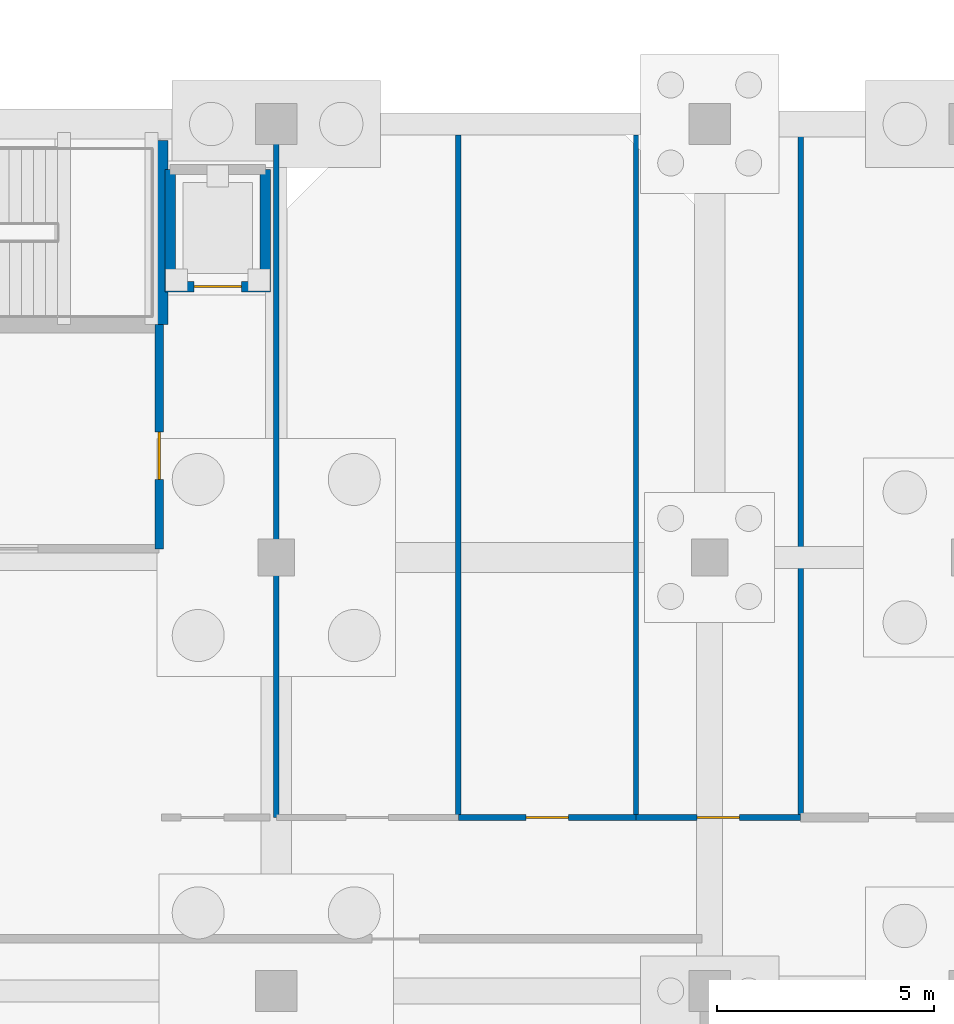
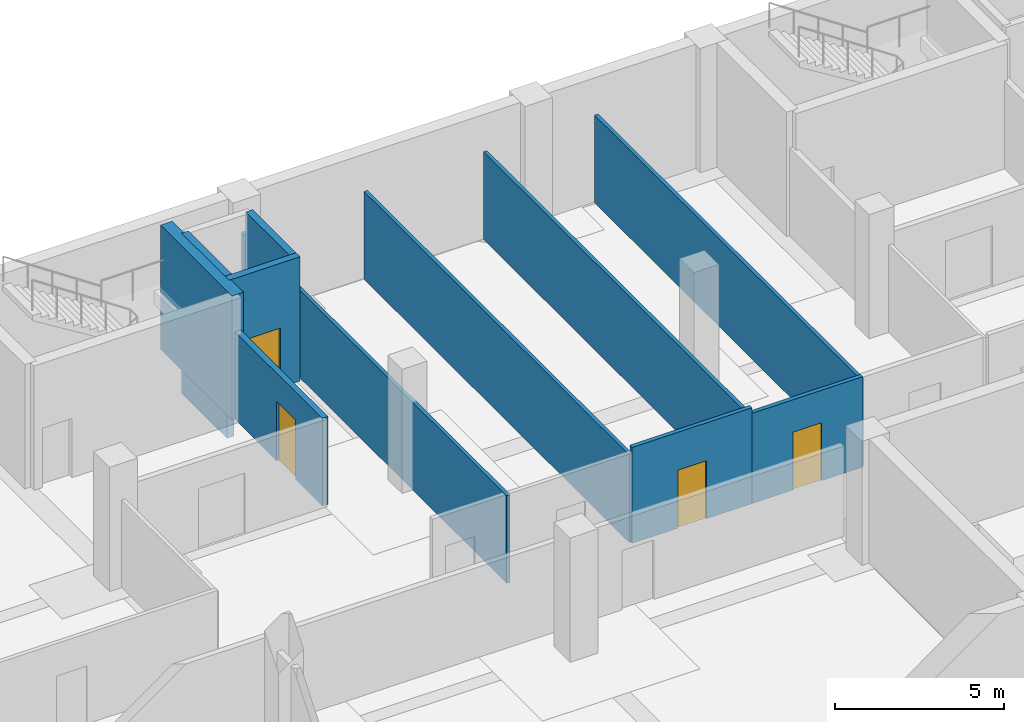
# One storey, part 14 of 19: 11 walls, 4 doors, 4 openings.
"""IFC4 building model written with IfcOpenShell, lengths in metres."""

from ifc_helpers import new_model, si_unit, direction, frame, frame_2d, origin, place, context, subcontext, project, spatial, rectangle, extrude, material, layer, layer_set, type_object, element, fill, save


model = new_model("IFC4")

# Units and contexts
model_context = context("Model", 3, precision=1e-05, world=origin(), true_north=direction((0.0, 1.0)))
body_context = subcontext(model_context, "Body", "Model", "MODEL_VIEW")
ifc_project = project(units=[si_unit("LENGTHUNIT", "METRE"), si_unit("AREAUNIT", "SQUARE_METRE"), si_unit("VOLUMEUNIT", "CUBIC_METRE"), si_unit("PLANEANGLEUNIT", "RADIAN"), si_unit("MASSUNIT", "GRAM", prefix="KILO")], contexts=[model_context])

# Site, building, storey
site_placement = place(None, origin())
site = spatial("IfcSite", under=ifc_project, at=site_placement, CompositionType="ELEMENT")
building_placement = place(site_placement, origin())
building = spatial("IfcBuilding", under=site, at=building_placement, Name="Mersad Railyard Sports Hall", CompositionType="ELEMENT")
storey_placement = place(building_placement, frame((0.0, 0.0, -4.5)))
storey = spatial("IfcBuildingStorey", under=building, at=storey_placement, Name="B1", CompositionType="ELEMENT", Elevation=-4.5)

# Wall, opening, door
ifc_material_1 = material(Name="Precast concrete C45/55", Category="concrete")
ifc_layer_1 = layer(ifc_material_1, 0.199951171875)
ifc_layer_set_1 = layer_set([ifc_layer_1], Name="Precast concrete C45/55")
wall_type_1 = type_object("IfcWallType", Name="ARC-WL-PT01", PredefinedType="PARTITIONING", material=ifc_layer_set_1)
wall_1_placement = place(storey_placement, frame((118.300048828125, 105.199951171875, 0.0), z_axis=(0.0, 0.0, 1.0), x_axis=(0.0, 1.0, 0.0)))
wall_1 = element("IfcWall", 1, at=wall_1_placement, inside=storey, type_object=wall_type_1, Name="Interior wall PT01-0239", PredefinedType="PARTITIONING", context=body_context, shape_type="SweptSolid", body=[
    extrude(rectangle(XDim=5.179931640625, YDim=0.199951171875, at=frame_2d((2.58984375, 0.0))), origin(), (0.0, 0.0, 1.0), 3.175048828125),
])
opening_1_placement = place(wall_1_placement, frame((1.60009765625, 0.0, 0.0)))
opening_1 = element("IfcOpeningElement", 2, at=opening_1_placement, cuts=wall_1, Name="Opening FD01", PredefinedType="OPENING", context=body_context, shape_type="SweptSolid", body=[
    extrude(rectangle(XDim=1.10009765625, YDim=2.14990234375, at=frame_2d((0.550048828125, 1.074951171875))), frame((0.0, 0.10986328125, 0.0), z_axis=(0.0, -1.0, 0.0), x_axis=(1.0, 0.0, 0.0)), (0.0, 0.0, 1.0), 0.219970703125),
])
ifc_material_2 = material(Name="Steel S355", Category="steel")
door_type_1 = type_object("IfcDoorType", Name="ARC-DR-FD01", OperationType="NOTDEFINED", PredefinedType="DOOR", material=ifc_material_2)
door_1_placement = place(opening_1_placement, origin())
door_1 = element("IfcDoor", 3, at=door_1_placement, inside=storey, type_object=door_type_1, Name="C3 lift-to-firefighting lobby door FD01-0099", OperationType="SINGLE_SWING_RIGHT", OverallHeight=2.14990234375, OverallWidth=1.10009765625, PredefinedType="DOOR", context=body_context, shape_type="SweptSolid", body=[
    extrude(rectangle(XDim=1.10009765625, YDim=2.14990234375, at=frame_2d((0.550048828125, 1.074951171875))), frame((0.0, 0.02490234375, 0.0), z_axis=(0.0, -1.0, 0.0), x_axis=(1.0, 0.0, 0.0)), (0.0, 0.0, 1.0), 0.050048828125),
])
fill(opening_1, door_1)

ifc_material_3 = material(Name="Gypsum plasterboard", Category="gypsum")
ifc_layer_2 = layer(ifc_material_3, 0.139892578125)
ifc_layer_set_2 = layer_set([ifc_layer_2], Name="Gypsum plasterboard")
wall_type_2 = type_object("IfcWallType", Name="ARC-WL-PT03", PredefinedType="PARTITIONING", material=ifc_layer_set_2)
wall_2_placement = place(storey_placement, frame((125.199951171875, 99.0, 0.0), z_axis=(0.0, 0.0, 1.0), x_axis=(1.0, 0.0, 0.0)))
wall_2 = element("IfcWall", 4, at=wall_2_placement, inside=storey, type_object=wall_type_2, Name="Interior wall PT03-0395", PredefinedType="PARTITIONING", context=body_context, shape_type="SweptSolid", body=[
    extrude(rectangle(XDim=4.10009765625, YDim=0.139892578125, at=frame_2d((2.050048828125, 0.0))), origin(), (0.0, 0.0, 1.0), 3.47509765625),
])
opening_2_placement = place(wall_2_placement, frame((1.56005859375, 0.0, 0.0)))
opening_2 = element("IfcOpeningElement", 5, at=opening_2_placement, cuts=wall_2, Name="Opening FD06", PredefinedType="OPENING", context=body_context, shape_type="SweptSolid", body=[
    extrude(rectangle(XDim=0.97998046875, YDim=2.10009765625, at=frame_2d((0.489990234375, 1.050048828125))), frame((0.0, 0.079833984375, 0.0), z_axis=(0.0, -1.0, 0.0), x_axis=(1.0, 0.0, 0.0)), (0.0, 0.0, 1.0), 0.159912109375),
])
door_type_2 = type_object("IfcDoorType", Name="ARC-DR-FD06", OperationType="NOTDEFINED", PredefinedType="DOOR", material=ifc_material_2)
door_2_placement = place(opening_2_placement, origin())
door_2 = element("IfcDoor", 6, at=door_2_placement, inside=storey, type_object=door_type_2, Name="B1 north room door FD06-0177", OperationType="SINGLE_SWING_RIGHT", OverallHeight=2.10009765625, OverallWidth=0.97998046875, PredefinedType="DOOR", context=body_context, shape_type="SweptSolid", body=[
    extrude(rectangle(XDim=0.97998046875, YDim=2.10009765625, at=frame_2d((0.489990234375, 1.050048828125))), frame((0.0, 0.02490234375, 0.0), z_axis=(0.0, -1.0, 0.0), x_axis=(1.0, 0.0, 0.0)), (0.0, 0.0, 1.0), 0.050048828125),
])
fill(opening_2, door_2)

wall_3_placement = place(storey_placement, frame((129.300048828125, 99.0, 0.0), z_axis=(0.0, 0.0, 1.0), x_axis=(1.0, 0.0, 0.0)))
wall_3 = element("IfcWall", 7, at=wall_3_placement, inside=storey, type_object=wall_type_2, Name="Interior wall PT03-0397", PredefinedType="PARTITIONING", context=body_context, shape_type="SweptSolid", body=[
    extrude(rectangle(XDim=3.800048828125, YDim=0.139892578125, at=frame_2d((1.89990234375, 0.0))), origin(), (0.0, 0.0, 1.0), 3.27490234375),
])
opening_3_placement = place(wall_3_placement, frame((1.409912109375, 0.0, 0.0)))
opening_3 = element("IfcOpeningElement", 8, at=opening_3_placement, cuts=wall_3, Name="Opening FD06", PredefinedType="OPENING", context=body_context, shape_type="SweptSolid", body=[
    extrude(rectangle(XDim=0.97998046875, YDim=2.10009765625, at=frame_2d((0.489990234375, 1.050048828125))), frame((0.0, 0.079833984375, 0.0), z_axis=(0.0, -1.0, 0.0), x_axis=(1.0, 0.0, 0.0)), (0.0, 0.0, 1.0), 0.159912109375),
])
door_3_placement = place(opening_3_placement, origin())
door_3 = element("IfcDoor", 9, at=door_3_placement, inside=storey, type_object=door_type_2, Name="B1 north room door FD06-0178", OperationType="SINGLE_SWING_LEFT", OverallHeight=2.10009765625, OverallWidth=0.97998046875, PredefinedType="DOOR", context=body_context, shape_type="SweptSolid", body=[
    extrude(rectangle(XDim=0.97998046875, YDim=2.10009765625, at=frame_2d((0.489990234375, 1.050048828125))), frame((0.0, 0.02490234375, 0.0), z_axis=(0.0, -1.0, 0.0), x_axis=(1.0, 0.0, 0.0)), (0.0, 0.0, 1.0), 0.050048828125),
])
fill(opening_3, door_3)

# Walls
ifc_layer_3 = layer(ifc_material_3, 0.1201171875)
ifc_layer_set_3 = layer_set([ifc_layer_3], Name="Gypsum plasterboard")
wall_type_3 = type_object("IfcWallType", Name="ARC-WL-PT04", PredefinedType="PARTITIONING", material=ifc_layer_set_3)
for number, where, z_axis, x_axis, name in (
    (10, (121.0, 99.0, 0.0), (0.0, 0.0, 1.0), (0.0, 1.0, 0.0), "Interior wall PT04-0394"),
    (11, (125.199951171875, 99.0, 0.0), (0.0, 0.0, 1.0), (0.0, 1.0, 0.0), "Interior wall PT04-0396"),
    (12, (129.300048828125, 99.0, 0.0), (0.0, 0.0, 1.0), (0.0, 1.0, 0.0), "Interior wall PT04-0398"),
    (13, (133.10009765625, 99.0, 0.0), (0.0, 0.0, 1.0), (0.0, 1.0, 0.0), "Interior wall PT04-0400"),
):
    element("IfcWall", number, at=place(storey_placement, frame(where, z_axis=z_axis, x_axis=x_axis)), inside=storey, type_object=wall_type_3, Name=name, PredefinedType="PARTITIONING", context=body_context, shape_type="SweptSolid", body=[
        extrude(rectangle(XDim=15.75, YDim=0.1201171875, at=frame_2d((7.875, 0.0))), origin(), (0.0, 0.0, 1.0), 3.175048828125),
    ])
ifc_material_4 = material(Name="Concrete C50/60", Category="concrete")
ifc_layer_4 = layer(ifc_material_4, 0.39990234375)
ifc_layer_set_4 = layer_set([ifc_layer_4], Name="Concrete C50/60")
wall_type_4 = type_object("IfcWallType", Name="STR-WL-SW01", PredefinedType="SHEAR", material=ifc_layer_set_4)
wall_4_placement = place(storey_placement, frame((118.300048828125, 110.3798828125, 0.0), z_axis=(0.0, 0.0, 1.0), x_axis=(0.0, 1.0, 0.0)))
element("IfcWall", 14, at=wall_4_placement, inside=storey, type_object=wall_type_4, Name="Interior wall SW01-0236", PredefinedType="SHEAR", context=body_context, shape_type="SweptSolid", body=[
    extrude(rectangle(XDim=4.240234375, YDim=0.39990234375, at=frame_2d((2.1201171875, 0.0))), origin(), (0.0, 0.0, 1.0), 4.5),
])
ifc_material_5 = material(Name="Concrete C40/50", Category="concrete")
ifc_layer_5 = layer(ifc_material_5, 0.239990234375)
ifc_layer_set_5 = layer_set([ifc_layer_5], Name="Concrete C40/50")
wall_type_5 = type_object("IfcWallType", Name="STR-WL-SW03", PredefinedType="SHEAR", material=ifc_layer_set_5)
wall_5_placement = place(storey_placement, frame((118.550048828125, 111.25, -1.300048828125), z_axis=(0.0, 0.0, 1.0), x_axis=(0.0, 1.0, 0.0)))
element("IfcWall", 15, at=wall_5_placement, inside=storey, type_object=wall_type_5, Name="Lift PL-03 west shaft wall B1", PredefinedType="SHEAR", context=body_context, shape_type="SweptSolid", body=[
    extrude(rectangle(XDim=2.699951171875, YDim=0.239990234375, at=frame_2d((1.35009765625, 0.0))), origin(), (0.0, 0.0, 1.0), 5.800048828125),
])
wall_6_placement = place(storey_placement, frame((120.75, 113.949951171875, 0.0), z_axis=(0.0, 0.0, 1.0), x_axis=(0.0, -1.0, 0.0)))
element("IfcWall", 16, at=wall_6_placement, inside=storey, type_object=wall_type_5, Name="Interior wall SW03-0055", PredefinedType="SHEAR", context=body_context, shape_type="SweptSolid", body=[
    extrude(rectangle(XDim=2.699951171875, YDim=0.239990234375, at=frame_2d((1.35009765625, 0.0))), origin(), (0.0, 0.0, 1.0), 4.5),
])

# Wall, opening, door
wall_7_placement = place(storey_placement, frame((120.8701171875, 111.25, 0.0), z_axis=(0.0, 0.0, 1.0), x_axis=(-1.0, 0.0, 0.0)))
wall_7 = element("IfcWall", 17, at=wall_7_placement, inside=storey, type_object=wall_type_5, Name="Interior wall SW03-0057", PredefinedType="SHEAR", context=body_context, shape_type="SweptSolid", body=[
    extrude(rectangle(XDim=2.440185546875, YDim=0.239990234375, at=frame_2d((1.22021484375, 0.0))), origin(), (0.0, 0.0, 1.0), 4.5),
])
opening_4_placement = place(wall_7_placement, frame((0.669921875, 0.0, 0.0)))
opening_4 = element("IfcOpeningElement", 18, at=opening_4_placement, cuts=wall_7, Name="Opening LD01", PredefinedType="OPENING", context=body_context, shape_type="SweptSolid", body=[
    extrude(rectangle(XDim=1.10009765625, YDim=2.14990234375, at=frame_2d((0.550048828125, 1.074951171875))), frame((0.0, 0.1298828125, 0.0), z_axis=(0.0, -1.0, 0.0), x_axis=(1.0, 0.0, 0.0)), (0.0, 0.0, 1.0), 0.260009765625),
])
door_type_3 = type_object("IfcDoorType", Name="ARC-DR-LD01", OperationType="NOTDEFINED", PredefinedType="USERDEFINED", material=ifc_material_2)
door_4_placement = place(opening_4_placement, origin())
door_4 = element("IfcDoor", 19, at=door_4_placement, inside=storey, type_object=door_type_3, Name="Lift PL-03 landing door LD01-0015", ObjectType="LANDING DOOR", OperationType="DOUBLE_DOOR_SLIDING", OverallHeight=2.14990234375, OverallWidth=1.10009765625, PredefinedType="USERDEFINED", context=body_context, shape_type="SweptSolid", body=[
    extrude(rectangle(XDim=1.10009765625, YDim=2.14990234375, at=frame_2d((0.550048828125, 1.074951171875))), frame((0.0, 0.02490234375, 0.0), z_axis=(0.0, -1.0, 0.0), x_axis=(1.0, 0.0, 0.0)), (0.0, 0.0, 1.0), 0.050048828125),
])
fill(opening_4, door_4)

save(model, "model.ifc")
